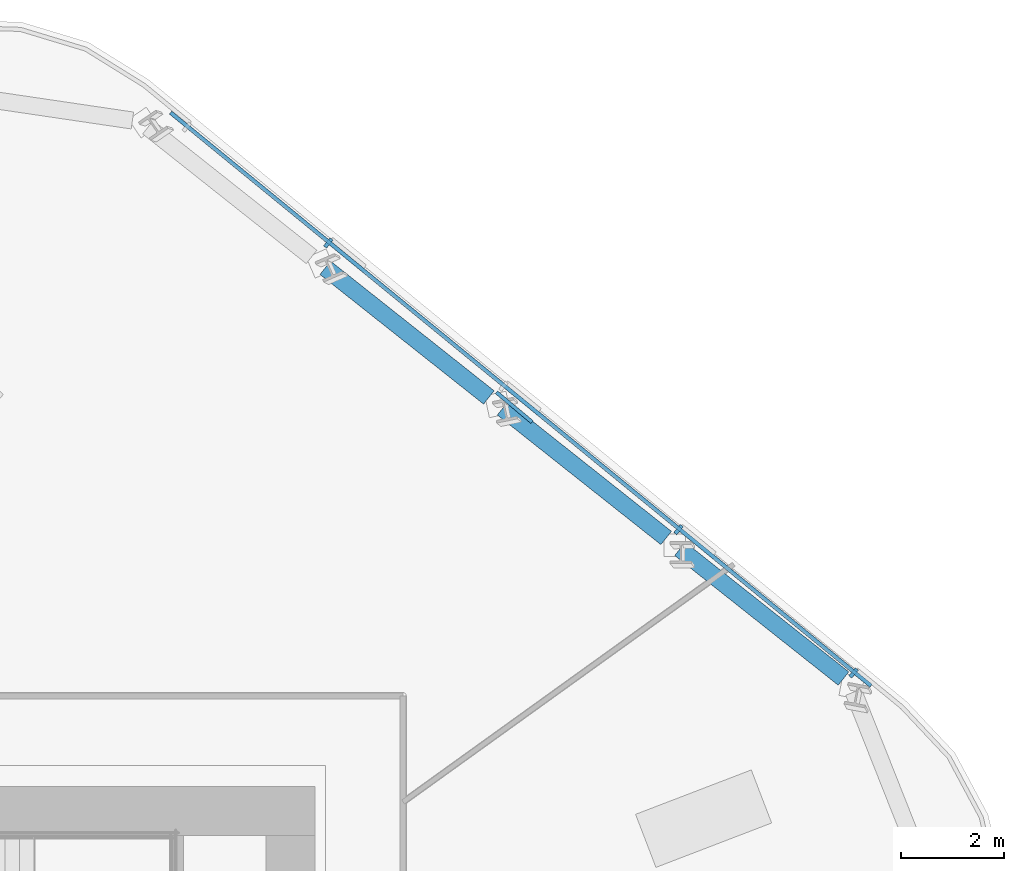
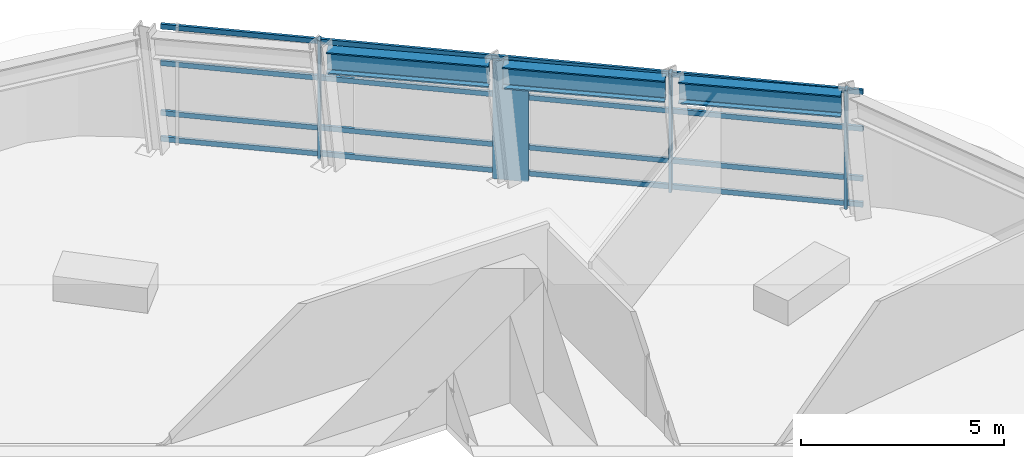
# One storey, part 7 of 18: 8 members, 3 beams, 1 element without a shape of its own.
"""IFC4 building model written with IfcOpenShell, lengths in metres."""

from ifc_helpers import new_model, si_unit, direction, frame, origin, origin_2d, place, context, subcontext, project, spatial, rectangle, i_section, extrude, material, layer, layer_set, material_profile, profile_set, type_object, element, aggregate, save


model = new_model("IFC4")

# Units and contexts
model_context = context("Model", 3, precision=1e-05, world=origin(), true_north=direction((0.0, 1.0)))
body_context = subcontext(model_context, "Body", "Model", "MODEL_VIEW")
ifc_project = project(units=[si_unit("LENGTHUNIT", "METRE"), si_unit("AREAUNIT", "SQUARE_METRE"), si_unit("VOLUMEUNIT", "CUBIC_METRE"), si_unit("PLANEANGLEUNIT", "RADIAN"), si_unit("MASSUNIT", "GRAM", prefix="KILO")], contexts=[model_context])

# Site, building, storey
site_placement = place(None, origin())
site = spatial("IfcSite", under=ifc_project, at=site_placement, CompositionType="ELEMENT")
building_placement = place(site_placement, origin())
building = spatial("IfcBuilding", under=site, at=building_placement, Name="Valkerne Bourse Tower", CompositionType="ELEMENT")
storey_placement = place(building_placement, frame((0.0, 0.0, 112.39990234375)))
storey = spatial("IfcBuildingStorey", under=building, at=storey_placement, Name="L28", CompositionType="ELEMENT", Elevation=112.39990234375)

# Beams
ifc_material_1 = material(Name="Steel ASTM A992", Category="steel")
ifc_material_profile_1 = material_profile(ifc_material_1, i_section(OverallWidth=0.330078125, OverallDepth=0.647705078125, WebThickness=0.0205078125, FlangeThickness=0.037109375, FilletRadius=0.020263671875, at=origin_2d()), Name="W24X192")
ifc_profile_set_1 = profile_set([ifc_material_profile_1], Name="Steel ASTM A992")
beam_type = type_object("IfcBeamType", Name="BM-W24X192", PredefinedType="SPANDREL", material=ifc_profile_set_1)
for number, where, z_axis, x_axis, name in (
    (1, (66.63525390625, 38.18701171875, 3.25634765625), (-0.78370039611, 0.621139025611, 0.0), (-0.621139025611, -0.78370039611, 0.0), "L28 Hexagonal Spandrel Ring Beam 00"),
    (2, (63.2001953125, 40.909423828125, 3.25634765625), (-0.78370039611, 0.621139025611, 0.0), (-0.621139025611, -0.78370039611, 0.0), "L28 Hexagonal Spandrel Ring Beam 01"),
):
    element("IfcBeam", number, at=place(storey_placement, frame(where, z_axis=z_axis, x_axis=x_axis)), inside=storey, type_object=beam_type, Name=name, PredefinedType="SPANDREL", context=body_context, shape_type="SweptSolid", body=[
        extrude(i_section(OverallWidth=0.330078125, OverallDepth=0.647705078125, WebThickness=0.0205078125, FlangeThickness=0.037109375, FilletRadius=0.020263671875, at=origin_2d()), origin(), (0.0, 0.0, 1.0), 4.04296875),
    ])
beam_placement = place(storey_placement, frame((59.765380859375, 43.6318359375, 3.25634765625), z_axis=(-0.783671000813, 0.621176112295, 0.0), x_axis=(-0.621176112295, -0.783671000813, 0.0)))
element("IfcBeam", 3, at=beam_placement, inside=storey, type_object=beam_type, Name="L28 Hexagonal Spandrel Ring Beam 02", PredefinedType="SPANDREL", context=body_context, shape_type="SweptSolid", body=[
    extrude(i_section(OverallWidth=0.330078125, OverallDepth=0.647705078125, WebThickness=0.0205078125, FlangeThickness=0.037109375, FilletRadius=0.020263671875, at=origin_2d()), origin(), (0.0, 0.0, 1.0), 4.043212890625),
])

# Curtain wall, members
ifc_material_2 = material(Name="Aluminium AA 6063-T6", Category="aluminium")
ifc_layer = layer(ifc_material_2, 0.22998046875)
ifc_layer_set = layer_set([ifc_layer], Name="Aluminium AA 6063-T6")
curtain_wall_type = type_object("IfcCurtainWallType", Name="CW-02", PredefinedType="NOTDEFINED", material=ifc_layer_set)
curtain_wall_placement = place(storey_placement, origin())
curtain_wall = element("IfcCurtainWall", 4, at=curtain_wall_placement, inside=storey, type_object=curtain_wall_type, Name="L28 Hexagonal Stick Curtain Wall Face 1", PredefinedType="NOTDEFINED")
ifc_material_profile_2 = material_profile(ifc_material_2, rectangle(XDim=0.074951171875, YDim=0.199951171875, at=origin_2d()), Name="CWM-75X200")
ifc_profile_set_2 = profile_set([ifc_material_profile_2], Name="Aluminium AA 6063-T6")
member_type_1 = type_object("IfcMemberType", Name="CW-MUL-220X75", PredefinedType="MULLION", material=ifc_profile_set_2)
member_1_placement = place(storey_placement, frame((66.830322265625, 38.29541015625, 0.0), z_axis=(0.0, 0.0, 1.0), x_axis=(-0.773837333902, 0.633384386182, 0.0)))
member_1 = element("IfcMember", 5, at=member_1_placement, type_object=member_type_1, Name="CW-L28-F1 Jamb Mullion 00A", PredefinedType="MULLION", context=body_context, shape_type="SweptSolid", body=[
    extrude(rectangle(XDim=0.074951171875, YDim=0.199951171875, at=origin_2d()), origin(), (0.0, 0.0, 1.0), 3.580078125),
])
member_2_placement = place(storey_placement, frame((63.438720703125, 41.071533203125, 0.0), z_axis=(0.0, 0.0, 1.0), x_axis=(-0.773837333902, 0.633384386182, 0.0)))
member_2 = element("IfcMember", 6, at=member_2_placement, type_object=member_type_1, Name="CW-L28-F1 Jamb Mullion 01A", PredefinedType="MULLION", context=body_context, shape_type="SweptSolid", body=[
    extrude(rectangle(XDim=0.074951171875, YDim=0.199951171875, at=origin_2d()), origin(), (0.0, 0.0, 1.0), 3.580078125),
])
member_3_placement = place(storey_placement, frame((56.655029296875, 46.623779296875, 0.0), z_axis=(0.0, 0.0, 1.0), x_axis=(-0.773837333902, 0.633384386182, 0.0)))
member_3 = element("IfcMember", 7, at=member_3_placement, type_object=member_type_1, Name="CW-L28-F1 Jamb Mullion 03A", PredefinedType="MULLION", context=body_context, shape_type="SweptSolid", body=[
    extrude(rectangle(XDim=0.074951171875, YDim=0.199951171875, at=origin_2d()), origin(), (0.0, 0.0, 1.0), 3.580078125),
])
ifc_material_profile_3 = material_profile(ifc_material_2, rectangle(XDim=0.074951171875, YDim=0.14990234375, at=origin_2d()), Name="CWT-75X150")
ifc_profile_set_3 = profile_set([ifc_material_profile_3], Name="Aluminium AA 6063-T6")
member_type_2 = type_object("IfcMemberType", Name="CW-TRN-180X65", PredefinedType="USERDEFINED", material=ifc_profile_set_3)
member_4_placement = place(storey_placement, frame((67.16796875, 38.044921875, 0.1201171875), z_axis=(-0.773836919751, 0.633384892171, 0.0), x_axis=(-0.633384892171, -0.773836919751, 0.0)))
member_4 = element("IfcMember", 8, at=member_4_placement, type_object=member_type_2, Name="CW-L28-F1 Continuous Face Transom 1", ObjectType="TRANSOM", PredefinedType="USERDEFINED", context=body_context, shape_type="SweptSolid", body=[
    extrude(rectangle(XDim=0.074951171875, YDim=0.14990234375, at=origin_2d()), origin(), (0.0, 0.0, 1.0), 17.531982421875),
])
member_5_placement = place(storey_placement, frame((67.16796875, 38.044921875, 0.900146484375), z_axis=(-0.773836919751, 0.633384892171, 0.0), x_axis=(-0.633384892171, -0.773836919751, 0.0)))
member_5 = element("IfcMember", 9, at=member_5_placement, type_object=member_type_2, Name="CW-L28-F1 Continuous Face Transom 2", ObjectType="TRANSOM", PredefinedType="USERDEFINED", context=body_context, shape_type="SweptSolid", body=[
    extrude(rectangle(XDim=0.074951171875, YDim=0.14990234375, at=origin_2d()), origin(), (0.0, 0.0, 1.0), 17.531982421875),
])
member_6_placement = place(storey_placement, frame((67.16796875, 38.044921875, 2.400146484375), z_axis=(-0.773836919751, 0.633384892171, 0.0), x_axis=(-0.633384892171, -0.773836919751, 0.0)))
member_6 = element("IfcMember", 10, at=member_6_placement, type_object=member_type_2, Name="CW-L28-F1 Continuous Face Transom 3", ObjectType="TRANSOM", PredefinedType="USERDEFINED", context=body_context, shape_type="SweptSolid", body=[
    extrude(rectangle(XDim=0.074951171875, YDim=0.14990234375, at=origin_2d()), origin(), (0.0, 0.0, 1.0), 17.531982421875),
])
member_7_placement = place(storey_placement, frame((67.16796875, 38.044921875, 3.5), z_axis=(-0.773836919751, 0.633384892171, 0.0), x_axis=(-0.633384892171, -0.773836919751, 0.0)))
member_7 = element("IfcMember", 11, at=member_7_placement, type_object=member_type_2, Name="CW-L28-F1 Continuous Face Transom 4", ObjectType="TRANSOM", PredefinedType="USERDEFINED", context=body_context, shape_type="SweptSolid", body=[
    extrude(rectangle(XDim=0.074951171875, YDim=0.14990234375, at=origin_2d()), origin(), (0.0, 0.0, 1.0), 17.531982421875),
])
aggregate(curtain_wall, [member_4, member_5, member_6, member_7, member_1, member_2, member_3])

# Member
ifc_material_3 = material(Name="Bronze Anodised Aluminium AA 6063-T6", Category="aluminium")
ifc_material_profile_4 = material_profile(ifc_material_3, rectangle(XDim=0.070068359375, YDim=0.89990234375, at=origin_2d()), Name="FIN-70X900")
ifc_profile_set_4 = profile_set([ifc_material_profile_4], Name="Bronze Anodised Aluminium AA 6063-T6")
member_type_3 = type_object("IfcMemberType", Name="FIN-SOLAR-900", PredefinedType="USERDEFINED", material=ifc_profile_set_4)
member_8_placement = place(storey_placement, frame((60.2578125, 43.4423828125, 0.004150390625), z_axis=(0.0, 0.0, 1.0), x_axis=(0.642240092368, 0.766503531469, 0.0)))
element("IfcMember", 12, at=member_8_placement, inside=storey, type_object=member_type_3, Name="L28 Bronze Anodised Solar Fin F1-02", ObjectType="SOLAR_FIN", PredefinedType="USERDEFINED", context=body_context, shape_type="SweptSolid", body=[
    extrude(rectangle(XDim=0.070068359375, YDim=0.89990234375, at=origin_2d()), origin(), (0.0, 0.0, 1.0), 3.572021484375),
])

save(model, "model.ifc")
